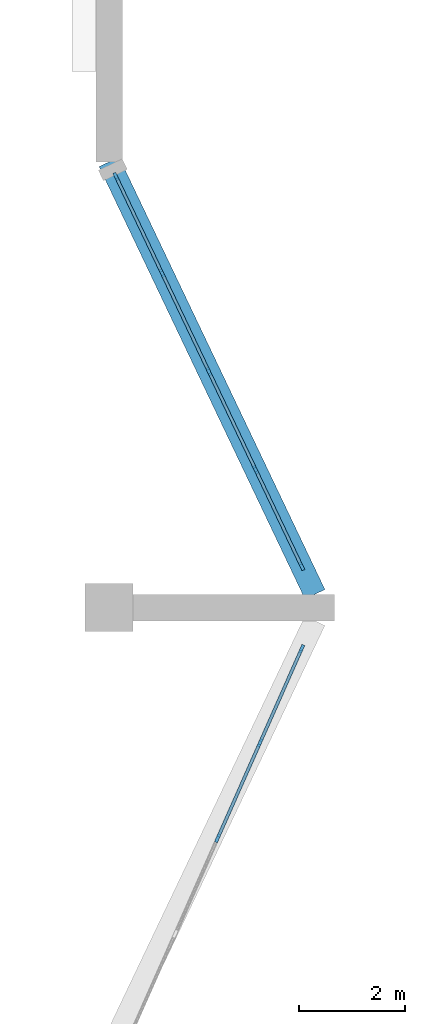
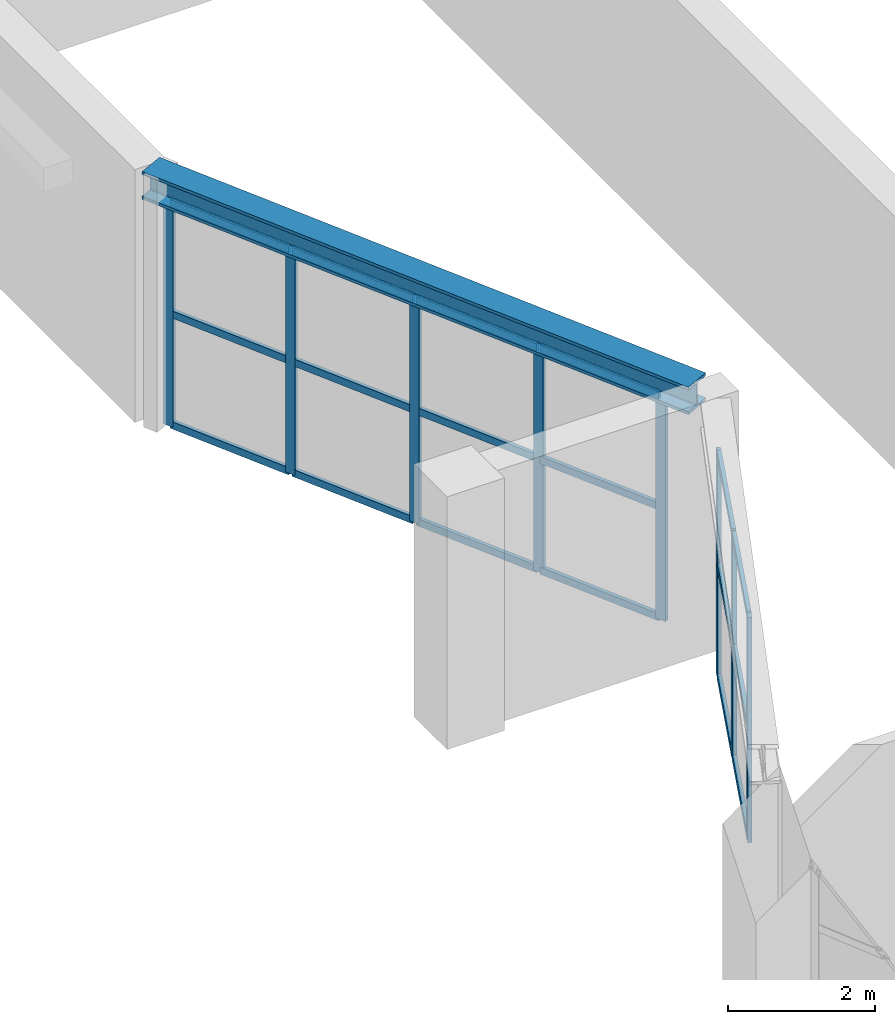
# One storey, part 20 of 51: 26 members, 1 beam, 2 elements without a shape of their own.
"""IFC4 building model written with IfcOpenShell, lengths in metres."""

from ifc_helpers import new_model, si_unit, direction, frame, origin, origin_2d, place, context, subcontext, project, spatial, rectangle, i_section, extrude, material, layer, layer_set, material_profile, profile_set, type_object, element, aggregate, save


model = new_model("IFC4")

# Units and contexts
model_context = context("Model", 3, precision=1e-05, world=origin(), true_north=direction((0.0, 1.0)))
body_context = subcontext(model_context, "Body", "Model", "MODEL_VIEW")
ifc_project = project(units=[si_unit("LENGTHUNIT", "METRE"), si_unit("AREAUNIT", "SQUARE_METRE"), si_unit("VOLUMEUNIT", "CUBIC_METRE"), si_unit("PLANEANGLEUNIT", "RADIAN"), si_unit("MASSUNIT", "GRAM", prefix="KILO")], contexts=[model_context])

# Site, building, storey
site_placement = place(None, origin())
site = spatial("IfcSite", under=ifc_project, at=site_placement, CompositionType="ELEMENT")
building_placement = place(site_placement, origin())
building = spatial("IfcBuilding", under=site, at=building_placement, Name="Cresset Court Congress Hotel", CompositionType="ELEMENT")
storey_placement = place(building_placement, frame((0.0, 0.0, 18.60009765625)))
storey = spatial("IfcBuildingStorey", under=building, at=storey_placement, Name="L04", CompositionType="ELEMENT", Elevation=18.60009765625)

# Curtain wall, members
ifc_material_1 = material(Name="Aluminium and glass", Category="aluminium")
ifc_layer = layer(ifc_material_1, 0.199951171875)
ifc_layer_set = layer_set([ifc_layer], Name="Clerestory curtain wall 1925 module")
curtain_wall_type = type_object("IfcCurtainWallType", Name="Clerestory curtain wall 1925 module", PredefinedType="NOTDEFINED", material=ifc_layer_set)
curtain_wall_1_placement = place(storey_placement, origin())
curtain_wall_1 = element("IfcCurtainWall", 1, at=curtain_wall_1_placement, inside=storey, type_object=curtain_wall_type, Name="Clerestory CX-04W1", PredefinedType="NOTDEFINED")
ifc_material_2 = material(Name="Anodised aluminium", Category="aluminium")
ifc_material_profile_1 = material_profile(ifc_material_2, rectangle(XDim=0.06005859375, YDim=0.159912109375, at=origin_2d()), Name="AL60x160")
ifc_profile_set_1 = profile_set([ifc_material_profile_1], Name="Anodised aluminium")
member_type_1 = type_object("IfcMemberType", Name="Curtain wall mullion 60x160", PredefinedType="MULLION", material=ifc_profile_set_1)
member_1_placement = place(storey_placement, frame((58.931884765625, 108.9228515625, 0.0), z_axis=(0.0, 0.0, 1.0), x_axis=(0.90286054363, 0.429933528299, 0.0)))
member_1 = element("IfcMember", 2, at=member_1_placement, type_object=member_type_1, Name="C-X5 mullion 1", PredefinedType="MULLION", context=body_context, shape_type="SweptSolid", body=[
    extrude(rectangle(XDim=0.06005859375, YDim=0.159912109375, at=origin_2d()), origin(), (0.0, 0.0, 1.0), 3.741943359375),
])
member_2_placement = place(storey_placement, frame((59.800048828125, 107.10009765625, 0.0), z_axis=(0.0, 0.0, 1.0), x_axis=(0.90286054363, 0.429933528299, 0.0)))
member_2 = element("IfcMember", 3, at=member_2_placement, type_object=member_type_1, Name="C-X5 mullion 2", PredefinedType="MULLION", context=body_context, shape_type="SweptSolid", body=[
    extrude(rectangle(XDim=0.06005859375, YDim=0.159912109375, at=origin_2d()), origin(), (0.0, 0.0, 1.0), 3.741943359375),
])
member_3_placement = place(storey_placement, frame((60.680908203125, 105.25, 0.0), z_axis=(0.0, 0.0, 1.0), x_axis=(0.90286054363, 0.429933528299, 0.0)))
member_3 = element("IfcMember", 4, at=member_3_placement, type_object=member_type_1, Name="C-X5 mullion 3", PredefinedType="MULLION", context=body_context, shape_type="SweptSolid", body=[
    extrude(rectangle(XDim=0.06005859375, YDim=0.159912109375, at=origin_2d()), origin(), (0.0, 0.0, 1.0), 3.741943359375),
])
member_4_placement = place(storey_placement, frame((61.56201171875, 103.39990234375, 0.0), z_axis=(0.0, 0.0, 1.0), x_axis=(0.90286054363, 0.429933528299, 0.0)))
member_4 = element("IfcMember", 5, at=member_4_placement, type_object=member_type_1, Name="C-X5 mullion 4", PredefinedType="MULLION", context=body_context, shape_type="SweptSolid", body=[
    extrude(rectangle(XDim=0.06005859375, YDim=0.159912109375, at=origin_2d()), origin(), (0.0, 0.0, 1.0), 3.741943359375),
])
member_5_placement = place(storey_placement, frame((62.429931640625, 101.5771484375, 0.0), z_axis=(0.0, 0.0, 1.0), x_axis=(0.90286054363, 0.429933528299, 0.0)))
member_5 = element("IfcMember", 6, at=member_5_placement, type_object=member_type_1, Name="C-X5 mullion 5", PredefinedType="MULLION", context=body_context, shape_type="SweptSolid", body=[
    extrude(rectangle(XDim=0.06005859375, YDim=0.159912109375, at=origin_2d()), origin(), (0.0, 0.0, 1.0), 3.741943359375),
])

curtain_wall_2_placement = place(storey_placement, origin())
curtain_wall_2 = element("IfcCurtainWall", 7, at=curtain_wall_2_placement, inside=storey, type_object=curtain_wall_type, Name="Clerestory CX-04W2", PredefinedType="NOTDEFINED")
member_6_placement = place(storey_placement, frame((62.4306640625, 100.0224609375, 0.0), z_axis=(0.0, 0.0, 1.0), x_axis=(0.914147820268, -0.405381009298, 0.0)))
member_6 = element("IfcMember", 8, at=member_6_placement, type_object=member_type_1, Name="C-X5 mullion 1", PredefinedType="MULLION", context=body_context, shape_type="SweptSolid", body=[
    extrude(rectangle(XDim=0.06005859375, YDim=0.159912109375, at=origin_2d()), origin(), (0.0, 0.0, 1.0), 3.741943359375),
])
member_7_placement = place(storey_placement, frame((61.64453125, 98.25, 0.0), z_axis=(0.0, 0.0, 1.0), x_axis=(0.914147820268, -0.405381009298, 0.0)))
member_7 = element("IfcMember", 9, at=member_7_placement, type_object=member_type_1, Name="C-X5 mullion 2", PredefinedType="MULLION", context=body_context, shape_type="SweptSolid", body=[
    extrude(rectangle(XDim=0.06005859375, YDim=0.159912109375, at=origin_2d()), origin(), (0.0, 0.0, 1.0), 3.741943359375),
])
member_8_placement = place(storey_placement, frame((60.846435546875, 96.449951171875, 0.0), z_axis=(0.0, 0.0, 1.0), x_axis=(0.914147820268, -0.405381009298, 0.0)))
member_8 = element("IfcMember", 10, at=member_8_placement, type_object=member_type_1, Name="C-X5 mullion 3", PredefinedType="MULLION", context=body_context, shape_type="SweptSolid", body=[
    extrude(rectangle(XDim=0.06005859375, YDim=0.159912109375, at=origin_2d()), origin(), (0.0, 0.0, 1.0), 3.741943359375),
])

# Member
ifc_material_3 = material(Name="Anodised aluminium", Category="aluminium")
ifc_material_profile_2 = material_profile(ifc_material_3, rectangle(XDim=0.06005859375, YDim=0.1201171875, at=origin_2d()), Name="AL60x120")
ifc_profile_set_2 = profile_set([ifc_material_profile_2], Name="Anodised aluminium")
member_type_2 = type_object("IfcMemberType", Name="Curtain wall transom 60x120", PredefinedType="USERDEFINED", material=ifc_profile_set_2)
member_9_placement = place(storey_placement, frame((58.94482421875, 108.895751953125, 0.02978515625), z_axis=(0.429981958361, -0.902837480106, 0.0), x_axis=(0.902837480106, 0.429981958361, 0.0)))
member_9 = element("IfcMember", 11, at=member_9_placement, type_object=member_type_2, Name="C-X5 transom 1.1", ObjectType="TRANSOM", PredefinedType="USERDEFINED", context=body_context, shape_type="SweptSolid", body=[
    extrude(rectangle(XDim=0.06005859375, YDim=0.1201171875, at=origin_2d()), origin(), (0.0, 0.0, 1.0), 1.958984375),
])

member_10_placement = place(storey_placement, frame((58.94482421875, 108.895751953125, 1.870849609375), z_axis=(0.429981958361, -0.902837480106, 0.0), x_axis=(0.902837480106, 0.429981958361, 0.0)))
member_10 = element("IfcMember", 12, at=member_10_placement, type_object=member_type_2, Name="C-X5 transom 1.2", ObjectType="TRANSOM", PredefinedType="USERDEFINED", context=body_context, shape_type="SweptSolid", body=[
    extrude(rectangle(XDim=0.06005859375, YDim=0.1201171875, at=origin_2d()), origin(), (0.0, 0.0, 1.0), 1.958984375),
])

member_11_placement = place(storey_placement, frame((58.94482421875, 108.895751953125, 3.7119140625), z_axis=(0.429981958361, -0.902837480106, 0.0), x_axis=(0.902837480106, 0.429981958361, 0.0)))
member_11 = element("IfcMember", 13, at=member_11_placement, type_object=member_type_2, Name="C-X5 transom 1.3", ObjectType="TRANSOM", PredefinedType="USERDEFINED", context=body_context, shape_type="SweptSolid", body=[
    extrude(rectangle(XDim=0.06005859375, YDim=0.1201171875, at=origin_2d()), origin(), (0.0, 0.0, 1.0), 1.958984375),
])

member_12_placement = place(storey_placement, frame((59.81298828125, 107.072998046875, 0.02978515625), z_axis=(0.429847816805, -0.902901353631, 0.0), x_axis=(0.902901353631, 0.429847816805, 0.0)))
member_12 = element("IfcMember", 14, at=member_12_placement, type_object=member_type_2, Name="C-X5 transom 2.1", ObjectType="TRANSOM", PredefinedType="USERDEFINED", context=body_context, shape_type="SweptSolid", body=[
    extrude(rectangle(XDim=0.06005859375, YDim=0.1201171875, at=origin_2d()), origin(), (0.0, 0.0, 1.0), 1.989013671875),
])

member_13_placement = place(storey_placement, frame((59.81298828125, 107.072998046875, 1.870849609375), z_axis=(0.429847816805, -0.902901353631, 0.0), x_axis=(0.902901353631, 0.429847816805, 0.0)))
member_13 = element("IfcMember", 15, at=member_13_placement, type_object=member_type_2, Name="C-X5 transom 2.2", ObjectType="TRANSOM", PredefinedType="USERDEFINED", context=body_context, shape_type="SweptSolid", body=[
    extrude(rectangle(XDim=0.06005859375, YDim=0.1201171875, at=origin_2d()), origin(), (0.0, 0.0, 1.0), 1.989013671875),
])

member_14_placement = place(storey_placement, frame((59.81298828125, 107.072998046875, 3.7119140625), z_axis=(0.429847816805, -0.902901353631, 0.0), x_axis=(0.902901353631, 0.429847816805, 0.0)))
member_14 = element("IfcMember", 16, at=member_14_placement, type_object=member_type_2, Name="C-X5 transom 2.3", ObjectType="TRANSOM", PredefinedType="USERDEFINED", context=body_context, shape_type="SweptSolid", body=[
    extrude(rectangle(XDim=0.06005859375, YDim=0.1201171875, at=origin_2d()), origin(), (0.0, 0.0, 1.0), 1.989013671875),
])

member_15_placement = place(storey_placement, frame((60.69384765625, 105.222900390625, 0.02978515625), z_axis=(0.429947873192, -0.90285371259, 0.0), x_axis=(0.90285371259, 0.429947873192, 0.0)))
member_15 = element("IfcMember", 17, at=member_15_placement, type_object=member_type_2, Name="C-X5 transom 3.1", ObjectType="TRANSOM", PredefinedType="USERDEFINED", context=body_context, shape_type="SweptSolid", body=[
    extrude(rectangle(XDim=0.06005859375, YDim=0.1201171875, at=origin_2d()), origin(), (0.0, 0.0, 1.0), 1.989013671875),
])

member_16_placement = place(storey_placement, frame((60.69384765625, 105.222900390625, 1.870849609375), z_axis=(0.429947873192, -0.90285371259, 0.0), x_axis=(0.90285371259, 0.429947873192, 0.0)))
member_16 = element("IfcMember", 18, at=member_16_placement, type_object=member_type_2, Name="C-X5 transom 3.2", ObjectType="TRANSOM", PredefinedType="USERDEFINED", context=body_context, shape_type="SweptSolid", body=[
    extrude(rectangle(XDim=0.06005859375, YDim=0.1201171875, at=origin_2d()), origin(), (0.0, 0.0, 1.0), 1.989013671875),
])

member_17_placement = place(storey_placement, frame((60.69384765625, 105.222900390625, 3.7119140625), z_axis=(0.429947873192, -0.90285371259, 0.0), x_axis=(0.90285371259, 0.429947873192, 0.0)))
member_17 = element("IfcMember", 19, at=member_17_placement, type_object=member_type_2, Name="C-X5 transom 3.3", ObjectType="TRANSOM", PredefinedType="USERDEFINED", context=body_context, shape_type="SweptSolid", body=[
    extrude(rectangle(XDim=0.06005859375, YDim=0.1201171875, at=origin_2d()), origin(), (0.0, 0.0, 1.0), 1.989013671875),
])

member_18_placement = place(storey_placement, frame((61.57470703125, 103.372802734375, 0.02978515625), z_axis=(0.429981958361, -0.902837480106, 0.0), x_axis=(0.902837480106, 0.429981958361, 0.0)))
member_18 = element("IfcMember", 20, at=member_18_placement, type_object=member_type_2, Name="C-X5 transom 4.1", ObjectType="TRANSOM", PredefinedType="USERDEFINED", context=body_context, shape_type="SweptSolid", body=[
    extrude(rectangle(XDim=0.06005859375, YDim=0.1201171875, at=origin_2d()), origin(), (0.0, 0.0, 1.0), 1.958984375),
])

member_19_placement = place(storey_placement, frame((61.57470703125, 103.372802734375, 1.870849609375), z_axis=(0.429981958361, -0.902837480106, 0.0), x_axis=(0.902837480106, 0.429981958361, 0.0)))
member_19 = element("IfcMember", 21, at=member_19_placement, type_object=member_type_2, Name="C-X5 transom 4.2", ObjectType="TRANSOM", PredefinedType="USERDEFINED", context=body_context, shape_type="SweptSolid", body=[
    extrude(rectangle(XDim=0.06005859375, YDim=0.1201171875, at=origin_2d()), origin(), (0.0, 0.0, 1.0), 1.958984375),
])

member_20_placement = place(storey_placement, frame((61.57470703125, 103.372802734375, 3.7119140625), z_axis=(0.429981958361, -0.902837480106, 0.0), x_axis=(0.902837480106, 0.429981958361, 0.0)))
member_20 = element("IfcMember", 22, at=member_20_placement, type_object=member_type_2, Name="C-X5 transom 4.3", ObjectType="TRANSOM", PredefinedType="USERDEFINED", context=body_context, shape_type="SweptSolid", body=[
    extrude(rectangle(XDim=0.06005859375, YDim=0.1201171875, at=origin_2d()), origin(), (0.0, 0.0, 1.0), 1.958984375),
])

aggregate(curtain_wall_1, [member_1, member_2, member_3, member_4, member_5, member_9, member_10, member_11, member_12, member_13, member_14, member_15, member_16, member_17, member_18, member_19, member_20])

member_21_placement = place(storey_placement, frame((62.41845703125, 99.9951171875, 0.02978515625), z_axis=(-0.405366806366, -0.914154118459, 0.0), x_axis=(0.914154118459, -0.405366806366, 0.0)))
member_21 = element("IfcMember", 23, at=member_21_placement, type_object=member_type_2, Name="C-X5 transom 1.1", ObjectType="TRANSOM", PredefinedType="USERDEFINED", context=body_context, shape_type="SweptSolid", body=[
    extrude(rectangle(XDim=0.06005859375, YDim=0.1201171875, at=origin_2d()), origin(), (0.0, 0.0, 1.0), 1.879150390625),
])

member_22_placement = place(storey_placement, frame((62.41845703125, 99.9951171875, 1.870849609375), z_axis=(-0.405366806366, -0.914154118459, 0.0), x_axis=(0.914154118459, -0.405366806366, 0.0)))
member_22 = element("IfcMember", 24, at=member_22_placement, type_object=member_type_2, Name="C-X5 transom 1.2", ObjectType="TRANSOM", PredefinedType="USERDEFINED", context=body_context, shape_type="SweptSolid", body=[
    extrude(rectangle(XDim=0.06005859375, YDim=0.1201171875, at=origin_2d()), origin(), (0.0, 0.0, 1.0), 1.879150390625),
])

member_23_placement = place(storey_placement, frame((62.41845703125, 99.9951171875, 3.7119140625), z_axis=(-0.405366806366, -0.914154118459, 0.0), x_axis=(0.914154118459, -0.405366806366, 0.0)))
member_23 = element("IfcMember", 25, at=member_23_placement, type_object=member_type_2, Name="C-X5 transom 1.3", ObjectType="TRANSOM", PredefinedType="USERDEFINED", context=body_context, shape_type="SweptSolid", body=[
    extrude(rectangle(XDim=0.06005859375, YDim=0.1201171875, at=origin_2d()), origin(), (0.0, 0.0, 1.0), 1.879150390625),
])

member_24_placement = place(storey_placement, frame((61.632568359375, 98.22265625, 0.02978515625), z_axis=(-0.405402653015, -0.914138222004, 0.0), x_axis=(0.914138222004, -0.405402653015, 0.0)))
member_24 = element("IfcMember", 26, at=member_24_placement, type_object=member_type_2, Name="C-X5 transom 2.1", ObjectType="TRANSOM", PredefinedType="USERDEFINED", context=body_context, shape_type="SweptSolid", body=[
    extrude(rectangle(XDim=0.06005859375, YDim=0.1201171875, at=origin_2d()), origin(), (0.0, 0.0, 1.0), 1.908935546875),
])

member_25_placement = place(storey_placement, frame((61.632568359375, 98.22265625, 1.870849609375), z_axis=(-0.405402653015, -0.914138222004, 0.0), x_axis=(0.914138222004, -0.405402653015, 0.0)))
member_25 = element("IfcMember", 27, at=member_25_placement, type_object=member_type_2, Name="C-X5 transom 2.2", ObjectType="TRANSOM", PredefinedType="USERDEFINED", context=body_context, shape_type="SweptSolid", body=[
    extrude(rectangle(XDim=0.06005859375, YDim=0.1201171875, at=origin_2d()), origin(), (0.0, 0.0, 1.0), 1.908935546875),
])

member_26_placement = place(storey_placement, frame((61.632568359375, 98.22265625, 3.7119140625), z_axis=(-0.405402653015, -0.914138222004, 0.0), x_axis=(0.914138222004, -0.405402653015, 0.0)))
member_26 = element("IfcMember", 28, at=member_26_placement, type_object=member_type_2, Name="C-X5 transom 2.3", ObjectType="TRANSOM", PredefinedType="USERDEFINED", context=body_context, shape_type="SweptSolid", body=[
    extrude(rectangle(XDim=0.06005859375, YDim=0.1201171875, at=origin_2d()), origin(), (0.0, 0.0, 1.0), 1.908935546875),
])

aggregate(curtain_wall_2, [member_6, member_7, member_8, member_21, member_22, member_23, member_24, member_25, member_26])

# Beam
ifc_material_4 = material(Name="Structural steel Q355B", Category="steel")
ifc_material_profile_3 = material_profile(ifc_material_4, i_section(OverallWidth=0.4169921875, OverallDepth=0.4580078125, WebThickness=0.030029296875, FlangeThickness=0.050048828125, FilletRadius=0.02197265625, at=origin_2d()), Name="HW458x417x30x50")
ifc_profile_set_3 = profile_set([ifc_material_profile_3], Name="Structural steel Q355B")
beam_type = type_object("IfcBeamType", Name="Steel HW458x417x30x50 lintel", PredefinedType="BEAM", material=ifc_profile_set_3)
beam_placement = place(storey_placement, frame((58.800048828125, 109.199951171875, 3.970947265625), z_axis=(0.429929380949, -0.902862518547, 0.0), x_axis=(0.902862518547, 0.429929380949, 0.0)))
element("IfcBeam", 29, at=beam_placement, inside=storey, type_object=beam_type, Name="Lintel CL-W1", PredefinedType="BEAM", context=body_context, shape_type="SweptSolid", body=[
    extrude(i_section(OverallWidth=0.4169921875, OverallDepth=0.4580078125, WebThickness=0.030029296875, FlangeThickness=0.050048828125, FilletRadius=0.02197265625, at=origin_2d()), origin(), (0.0, 0.0, 1.0), 9.02685546875),
])

save(model, "model.ifc")
